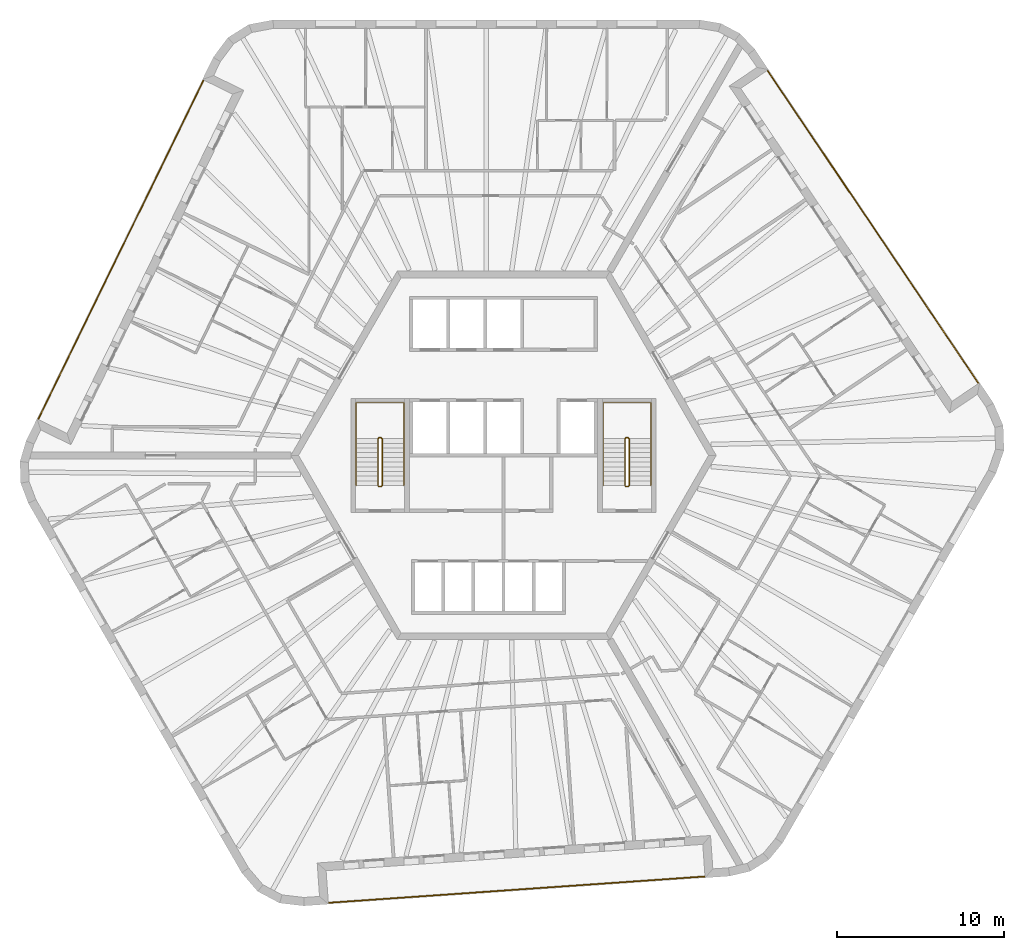
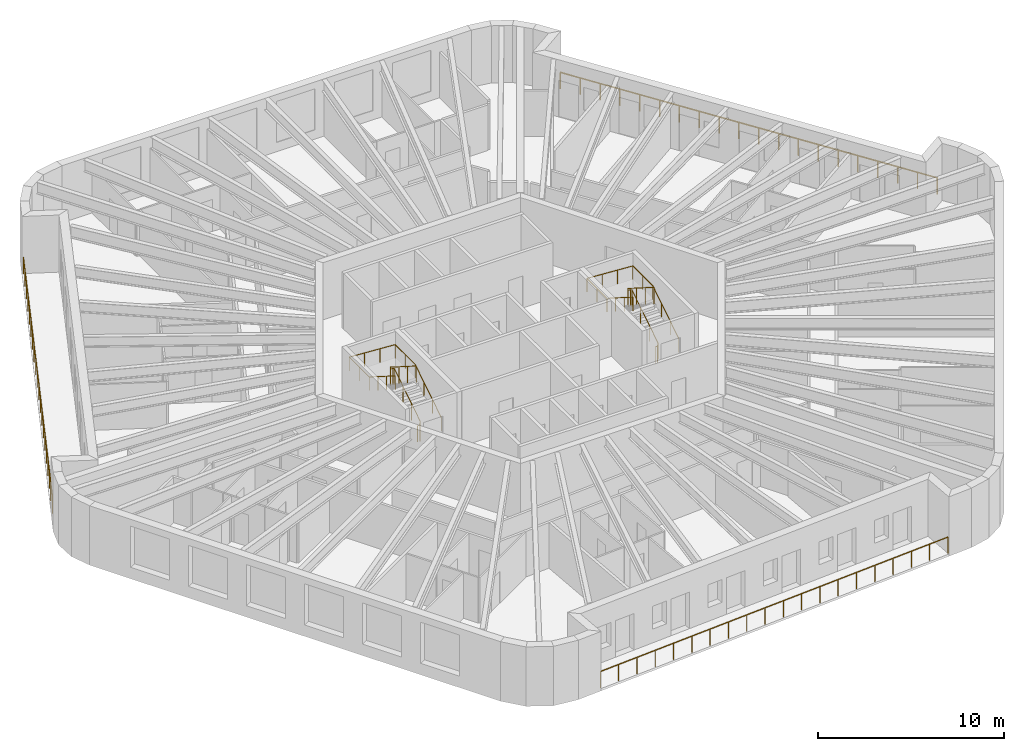
# One storey, part 12 of 12: 7 railings.
"""IFC4 building model written with IfcOpenShell, lengths in metres."""

import ifcopenshell
import ifcopenshell.guid

model = None  # the IFC model being written
_history = None  # IfcOwnerHistory: only IFC2X3 demands one
_inside = {}  # id of a spatial element -> (the spatial element, [elements in it])
_under = {}  # id of a project, library or spatial element -> (it, [spatial elements below it])
_declared = {}  # id of a project -> (the project, [libraries it declares])
_typed = {}  # id of a type object -> (the type object, [elements of that type])
_made_of = {}  # id of a material, layer set ... -> (it, [elements and type objects made of it])


def new_model(schema):
    """Start an empty IFC model of exactly this schema.

    Asked for "IFC4X3", IfcOpenShell would pick the latest addendum, in which some entities
    have other attributes; the version numbers below select the first issue.
    IFC2X3 requires an IfcOwnerHistory on every rooted entity: one is made here for all.
    """
    global model, _history
    if schema == "IFC4X3":
        model = ifcopenshell.file(schema_version=(4, 3, 0, 0))
    else:
        model = ifcopenshell.file(schema=schema)
    _inside.clear()
    _under.clear()
    _declared.clear()
    _typed.clear()
    _made_of.clear()
    _history = None
    if model.schema == "IFC2X3":
        org = make("IfcOrganization", Name="unknown")
        user = make(
            "IfcPersonAndOrganization",
            ThePerson=make("IfcPerson", FamilyName="unknown"),
            TheOrganization=org,
        )
        app = make(
            "IfcApplication",
            ApplicationDeveloper=org,
            Version="unknown",
            ApplicationFullName="unknown",
            ApplicationIdentifier="unknown",
        )
        _history = make(
            "IfcOwnerHistory",
            OwningUser=user,
            OwningApplication=app,
            ChangeAction="ADDED",
            CreationDate=0,
        )
    return model


def make(cls, **values):
    """One entity of the class cls with the attributes given. An attribute that is None is left unset."""
    return model.create_entity(
        cls, **{name: value for name, value in values.items() if value is not None}
    )


def rooted(cls, **values):
    """An entity with a GlobalId (a new one), such as an element, a storey or a relation."""
    return make(cls, GlobalId=ifcopenshell.guid.new(), OwnerHistory=_history, **values)


def si_unit(unit_type, name, prefix=None):
    """IfcSIUnit, for example si_unit("LENGTHUNIT", "METRE", prefix="MILLI")."""
    return make("IfcSIUnit", UnitType=unit_type, Prefix=prefix, Name=name)


def assignment(units):
    """IfcUnitAssignment: the units of a project."""
    return None if units is None else make("IfcUnitAssignment", Units=units)


def point(xyz):
    """IfcCartesianPoint."""
    return None if xyz is None else make("IfcCartesianPoint", Coordinates=xyz)


def direction(xyz):
    """IfcDirection."""
    return None if xyz is None else make("IfcDirection", DirectionRatios=xyz)


def frame(location, z_axis=None, x_axis=None):
    """IfcAxis2Placement3D, a coordinate frame: its origin and axes. An axis left out is left unset."""
    return make(
        "IfcAxis2Placement3D",
        Location=point(location),
        Axis=direction(z_axis),
        RefDirection=direction(x_axis),
    )


def frame_2d(location, x_axis=None):
    """IfcAxis2Placement2D, a coordinate frame in the plane: its origin and x axis."""
    return make(
        "IfcAxis2Placement2D", Location=point(location), RefDirection=direction(x_axis)
    )


def origin():
    """The frame at (0, 0, 0) with its axes left unset."""
    return frame((0.0, 0.0, 0.0))


def origin_2d():
    """The frame at (0, 0) in the plane with its x axis left unset."""
    return frame_2d((0.0, 0.0))


def place(relative_to, where):
    """IfcLocalPlacement: puts the frame where relative to a parent placement (None: the world)."""
    return make(
        "IfcLocalPlacement", PlacementRelTo=relative_to, RelativePlacement=where
    )


def context(
    kind, dimensions, precision=None, world=None, true_north=None, identifier=None
):
    """IfcGeometricRepresentationContext, for example the 3D "Model" context."""
    return make(
        "IfcGeometricRepresentationContext",
        ContextIdentifier=identifier,
        ContextType=kind,
        CoordinateSpaceDimension=dimensions,
        Precision=precision,
        WorldCoordinateSystem=world,
        TrueNorth=true_north,
    )


def subcontext(parent, identifier, kind, view, scale=None):
    """IfcGeometricRepresentationSubContext, for example "Body" below "Model"."""
    return make(
        "IfcGeometricRepresentationSubContext",
        ContextIdentifier=identifier,
        ContextType=kind,
        ParentContext=parent,
        TargetScale=scale,
        TargetView=view,
    )


def project(units=None, contexts=None):
    """IfcProject with its units and contexts."""
    return rooted(
        "IfcProject",
        Name="project",
        RepresentationContexts=contexts,
        UnitsInContext=assignment(units),
    )


def spatial(cls, under=None, at=None, **own):
    """A site, building, storey or space (cls), placed at a placement, below another one or the project."""
    s = rooted(cls, ObjectPlacement=at, **own)
    if under is not None:
        _under.setdefault(under.id(), (under, []))[1].append(s)
    return s


def profile(cls, at=None, kind="AREA", **sizes):
    """A parametric profile (cls). Its sizes go by their IFC names, for example OverallWidth=200.0."""
    return make(cls, ProfileType=kind, Position=at, **sizes)


def circle(**sizes):
    """IfcCircleProfileDef."""
    return profile("IfcCircleProfileDef", **sizes)


def extrude(swept, where, along, depth):
    """IfcExtrudedAreaSolid: the profile swept, set in the frame where, extruded along a direction by depth."""
    return make(
        "IfcExtrudedAreaSolid",
        SweptArea=swept,
        Position=where,
        ExtrudedDirection=direction(along),
        Depth=depth,
    )


def shape(context_of_items, identifier, shape_type, items):
    """IfcShapeRepresentation: the items that make up one representation, for example the "Body"."""
    return make(
        "IfcShapeRepresentation",
        ContextOfItems=context_of_items,
        RepresentationIdentifier=identifier,
        RepresentationType=shape_type,
        Items=items,
    )


def material(Name=None, Category=None):
    """IfcMaterial."""
    return make("IfcMaterial", Name=Name, Category=Category)


def made_of(thing, what):
    """Note that an element or type object is made of a material, layer set ...; save() writes the relation."""
    if what is not None:
        _made_of.setdefault(what.id(), (what, []))[1].append(thing)
    return thing


def type_object(cls, material=None, **own):
    """A type object (cls), such as IfcWallType, which elements share."""
    return made_of(rooted(cls, **own), material)


def element(
    cls,
    number,
    at=None,
    inside=None,
    cuts=None,
    type_object=None,
    material=None,
    context=None,
    identifier="Body",
    shape_type=None,
    held_by="IfcProductDefinitionShape",
    body=None,
    shapes=None,
    **own,
):
    """One element of the class cls, such as IfcWall. Its Tag is "e" and its number.

    at: its placement. inside: the storey or other place that contains it. cuts: it is an
    opening in that element (IfcRelVoidsElement). A single representation is given by context,
    identifier, shape_type and body (its items); several are given by shapes. held_by: the class
    of the entity that holds the representations. save() writes the other relations.
    """
    e = rooted(cls, Tag="e%d" % number, ObjectPlacement=at, **own)
    if body is not None:
        shapes = [shape(context, identifier, shape_type, body)]
    if shapes is not None:
        e.Representation = make(held_by, Representations=shapes)
    if inside is not None:
        _inside.setdefault(inside.id(), (inside, []))[1].append(e)
    if cuts is not None:
        rooted(
            "IfcRelVoidsElement", RelatingBuildingElement=cuts, RelatedOpeningElement=e
        )
    if type_object is not None:
        _typed.setdefault(type_object.id(), (type_object, []))[1].append(e)
    return made_of(e, material)


def aggregate(whole, parts):
    """IfcRelAggregates: a whole, such as a stair, and the parts it consists of."""
    return rooted("IfcRelAggregates", RelatingObject=whole, RelatedObjects=parts)


def save(model, path):
    """Write the relations noted so far, then the file.

    IfcRelAggregates (storeys below a building ...), IfcRelContainedInSpatialStructure (elements
    in a storey), IfcRelDefinesByType, IfcRelAssociatesMaterial and IfcRelDeclares: one each for
    every whole, place, type object, material and project.
    """
    for whole, parts in _under.values():
        aggregate(whole, parts)
    for where, things in _inside.values():
        rooted(
            "IfcRelContainedInSpatialStructure",
            RelatedElements=things,
            RelatingStructure=where,
        )
    for kind, things in _typed.values():
        rooted("IfcRelDefinesByType", RelatedObjects=things, RelatingType=kind)
    for what, things in _made_of.values():
        rooted("IfcRelAssociatesMaterial", RelatedObjects=things, RelatingMaterial=what)
    for by, libraries in _declared.values():
        rooted("IfcRelDeclares", RelatingContext=by, RelatedDefinitions=libraries)
    model.write(path)


model = new_model("IFC4")

# Units and contexts
model_context = context("Model", 3, precision=1e-05, world=origin(), true_north=direction((0.0, 1.0)))
body_context = subcontext(model_context, "Body", "Model", "MODEL_VIEW")
ifc_project = project(units=[si_unit("LENGTHUNIT", "METRE"), si_unit("AREAUNIT", "SQUARE_METRE"), si_unit("VOLUMEUNIT", "CUBIC_METRE"), si_unit("PLANEANGLEUNIT", "RADIAN"), si_unit("MASSUNIT", "GRAM", prefix="KILO")], contexts=[model_context])

# Site, building, storey
site_placement = place(None, origin())
site = spatial("IfcSite", under=ifc_project, at=site_placement, CompositionType="ELEMENT")
building_placement = place(site_placement, origin())
building = spatial("IfcBuilding", under=site, at=building_placement, Name="Tarnside Tower", CompositionType="ELEMENT")
storey_placement = place(building_placement, frame((0.0, 0.0, 306.89990234375)))
storey = spatial("IfcBuildingStorey", under=building, at=storey_placement, Name="L74", CompositionType="ELEMENT", Elevation=306.89990234375)

# Railings
ifc_material_1 = material(Name="Toughened glass", Category="glass")
railing_type_1 = type_object("IfcRailingType", Name="Glass guard 1100", PredefinedType="GUARDRAIL", material=ifc_material_1)
railing_1_placement = place(storey_placement, frame((-17.906005859375, 22.415283203125, 0.0)))
element("IfcRailing", 1, at=railing_1_placement, inside=storey, type_object=railing_type_1, Name="Loggia guard L74 F2", PredefinedType="GUARDRAIL", context=body_context, shape_type="SweptSolid", body=[
    extrude(circle(Radius=0.030029296875, at=origin_2d()), frame((0.0, 0.0, 1.070068359375), z_axis=(-0.438372639335, -0.898793318335, 0.0), x_axis=(0.898793318335, -0.438372639335, 0.0)), (0.0, 0.0, 1.0), 22.544921875),
    extrude(circle(Radius=0.02490234375, at=origin_2d()), origin(), (0.0, 0.0, 1.0), 1.0400390625),
    extrude(circle(Radius=0.02490234375, at=origin_2d()), frame((-0.520263671875, -1.06640625, 0.0)), (0.0, 0.0, 1.0), 1.0400390625),
    extrude(circle(Radius=0.02490234375, at=origin_2d()), frame((-1.040283203125, -2.133056640625, 0.0)), (0.0, 0.0, 1.0), 1.0400390625),
    extrude(circle(Radius=0.02490234375, at=origin_2d()), frame((-1.560546875, -3.199462890625, 0.0)), (0.0, 0.0, 1.0), 1.0400390625),
    extrude(circle(Radius=0.02490234375, at=origin_2d()), frame((-2.08056640625, -4.265869140625, 0.0)), (0.0, 0.0, 1.0), 1.0400390625),
    extrude(circle(Radius=0.02490234375, at=origin_2d()), frame((-2.600830078125, -5.33251953125, 0.0)), (0.0, 0.0, 1.0), 1.0400390625),
    extrude(circle(Radius=0.02490234375, at=origin_2d()), frame((-3.120849609375, -6.39892578125, 0.0)), (0.0, 0.0, 1.0), 1.0400390625),
    extrude(circle(Radius=0.02490234375, at=origin_2d()), frame((-3.64111328125, -7.46533203125, 0.0)), (0.0, 0.0, 1.0), 1.0400390625),
    extrude(circle(Radius=0.02490234375, at=origin_2d()), frame((-4.161376953125, -8.531982421875, 0.0)), (0.0, 0.0, 1.0), 1.0400390625),
    extrude(circle(Radius=0.02490234375, at=origin_2d()), frame((-4.681396484375, -9.598388671875, 0.0)), (0.0, 0.0, 1.0), 1.0400390625),
    extrude(circle(Radius=0.02490234375, at=origin_2d()), frame((-5.20166015625, -10.664794921875, 0.0)), (0.0, 0.0, 1.0), 1.0400390625),
    extrude(circle(Radius=0.02490234375, at=origin_2d()), frame((-5.7216796875, -11.731201171875, 0.0)), (0.0, 0.0, 1.0), 1.0400390625),
    extrude(circle(Radius=0.02490234375, at=origin_2d()), frame((-6.241943359375, -12.7978515625, 0.0)), (0.0, 0.0, 1.0), 1.0400390625),
    extrude(circle(Radius=0.02490234375, at=origin_2d()), frame((-6.76220703125, -13.8642578125, 0.0)), (0.0, 0.0, 1.0), 1.0400390625),
    extrude(circle(Radius=0.02490234375, at=origin_2d()), frame((-7.2822265625, -14.9306640625, 0.0)), (0.0, 0.0, 1.0), 1.0400390625),
    extrude(circle(Radius=0.02490234375, at=origin_2d()), frame((-7.802490234375, -15.997314453125, 0.0)), (0.0, 0.0, 1.0), 1.0400390625),
    extrude(circle(Radius=0.02490234375, at=origin_2d()), frame((-8.322509765625, -17.063720703125, 0.0)), (0.0, 0.0, 1.0), 1.0400390625),
    extrude(circle(Radius=0.02490234375, at=origin_2d()), frame((-8.8427734375, -18.130126953125, 0.0)), (0.0, 0.0, 1.0), 1.0400390625),
    extrude(circle(Radius=0.02490234375, at=origin_2d()), frame((-9.36279296875, -19.19677734375, 0.0)), (0.0, 0.0, 1.0), 1.0400390625),
    extrude(circle(Radius=0.02490234375, at=origin_2d()), frame((-9.883056640625, -20.26318359375, 0.0)), (0.0, 0.0, 1.0), 1.0400390625),
])
railing_2_placement = place(storey_placement, frame((-10.458984375, -26.714599609375, 0.0)))
element("IfcRailing", 2, at=railing_2_placement, inside=storey, type_object=railing_type_1, Name="Loggia guard L74 F4", PredefinedType="GUARDRAIL", context=body_context, shape_type="SweptSolid", body=[
    extrude(circle(Radius=0.030029296875, at=origin_2d()), frame((0.0, 0.0, 1.070068359375), z_axis=(0.997564440639, 0.069750890837, 0.0), x_axis=(-0.069750890837, 0.997564440639, 0.0)), (0.0, 0.0, 1.0), 22.544677734375),
    extrude(circle(Radius=0.02490234375, at=origin_2d()), origin(), (0.0, 0.0, 1.0), 1.0400390625),
    extrude(circle(Radius=0.02490234375, at=origin_2d()), frame((1.18359375, 0.082763671875, 0.0)), (0.0, 0.0, 1.0), 1.0400390625),
    extrude(circle(Radius=0.02490234375, at=origin_2d()), frame((2.367431640625, 0.16552734375, 0.0)), (0.0, 0.0, 1.0), 1.0400390625),
    extrude(circle(Radius=0.02490234375, at=origin_2d()), frame((3.551025390625, 0.248291015625, 0.0)), (0.0, 0.0, 1.0), 1.0400390625),
    extrude(circle(Radius=0.02490234375, at=origin_2d()), frame((4.734619140625, 0.3310546875, 0.0)), (0.0, 0.0, 1.0), 1.0400390625),
    extrude(circle(Radius=0.02490234375, at=origin_2d()), frame((5.91845703125, 0.413818359375, 0.0)), (0.0, 0.0, 1.0), 1.0400390625),
    extrude(circle(Radius=0.02490234375, at=origin_2d()), frame((7.10205078125, 0.49658203125, 0.0)), (0.0, 0.0, 1.0), 1.0400390625),
    extrude(circle(Radius=0.02490234375, at=origin_2d()), frame((8.28564453125, 0.579345703125, 0.0)), (0.0, 0.0, 1.0), 1.0400390625),
    extrude(circle(Radius=0.02490234375, at=origin_2d()), frame((9.469482421875, 0.662109375, 0.0)), (0.0, 0.0, 1.0), 1.0400390625),
    extrude(circle(Radius=0.02490234375, at=origin_2d()), frame((10.653076171875, 0.744873046875, 0.0)), (0.0, 0.0, 1.0), 1.0400390625),
    extrude(circle(Radius=0.02490234375, at=origin_2d()), frame((11.836669921875, 0.82763671875, 0.0)), (0.0, 0.0, 1.0), 1.0400390625),
    extrude(circle(Radius=0.02490234375, at=origin_2d()), frame((13.020263671875, 0.910400390625, 0.0)), (0.0, 0.0, 1.0), 1.0400390625),
    extrude(circle(Radius=0.02490234375, at=origin_2d()), frame((14.2041015625, 0.9931640625, 0.0)), (0.0, 0.0, 1.0), 1.0400390625),
    extrude(circle(Radius=0.02490234375, at=origin_2d()), frame((15.3876953125, 1.075927734375, 0.0)), (0.0, 0.0, 1.0), 1.0400390625),
    extrude(circle(Radius=0.02490234375, at=origin_2d()), frame((16.5712890625, 1.15869140625, 0.0)), (0.0, 0.0, 1.0), 1.0400390625),
    extrude(circle(Radius=0.02490234375, at=origin_2d()), frame((17.755126953125, 1.241455078125, 0.0)), (0.0, 0.0, 1.0), 1.0400390625),
    extrude(circle(Radius=0.02490234375, at=origin_2d()), frame((18.938720703125, 1.32421875, 0.0)), (0.0, 0.0, 1.0), 1.0400390625),
    extrude(circle(Radius=0.02490234375, at=origin_2d()), frame((20.122314453125, 1.406982421875, 0.0)), (0.0, 0.0, 1.0), 1.0400390625),
    extrude(circle(Radius=0.02490234375, at=origin_2d()), frame((21.30615234375, 1.48974609375, 0.0)), (0.0, 0.0, 1.0), 1.0400390625),
    extrude(circle(Radius=0.02490234375, at=origin_2d()), frame((22.48974609375, 1.572509765625, 0.0)), (0.0, 0.0, 1.0), 1.0400390625),
])
railing_3_placement = place(storey_placement, frame((28.365234375, 4.299560546875, 0.0)))
element("IfcRailing", 3, at=railing_3_placement, inside=storey, type_object=railing_type_1, Name="Loggia guard L74 F6", PredefinedType="GUARDRAIL", context=body_context, shape_type="SweptSolid", body=[
    extrude(circle(Radius=0.030029296875, at=origin_2d()), frame((0.0, 0.0, 1.070068359375), z_axis=(-0.559195329741, 0.82903593601, 0.0), x_axis=(-0.82903593601, -0.559195329741, 0.0)), (0.0, 0.0, 1.0), 22.544677734375),
    extrude(circle(Radius=0.02490234375, at=origin_2d()), origin(), (0.0, 0.0, 1.0), 1.0400390625),
    extrude(circle(Radius=0.02490234375, at=origin_2d()), frame((-0.66357421875, 0.983642578125, 0.0)), (0.0, 0.0, 1.0), 1.0400390625),
    extrude(circle(Radius=0.02490234375, at=origin_2d()), frame((-1.3271484375, 1.967529296875, 0.0)), (0.0, 0.0, 1.0), 1.0400390625),
    extrude(circle(Radius=0.02490234375, at=origin_2d()), frame((-1.990478515625, 2.951171875, 0.0)), (0.0, 0.0, 1.0), 1.0400390625),
    extrude(circle(Radius=0.02490234375, at=origin_2d()), frame((-2.654052734375, 3.934814453125, 0.0)), (0.0, 0.0, 1.0), 1.0400390625),
    extrude(circle(Radius=0.02490234375, at=origin_2d()), frame((-3.317626953125, 4.91845703125, 0.0)), (0.0, 0.0, 1.0), 1.0400390625),
    extrude(circle(Radius=0.02490234375, at=origin_2d()), frame((-3.981201171875, 5.90234375, 0.0)), (0.0, 0.0, 1.0), 1.0400390625),
    extrude(circle(Radius=0.02490234375, at=origin_2d()), frame((-4.644775390625, 6.885986328125, 0.0)), (0.0, 0.0, 1.0), 1.0400390625),
    extrude(circle(Radius=0.02490234375, at=origin_2d()), frame((-5.30810546875, 7.86962890625, 0.0)), (0.0, 0.0, 1.0), 1.0400390625),
    extrude(circle(Radius=0.02490234375, at=origin_2d()), frame((-5.9716796875, 8.853271484375, 0.0)), (0.0, 0.0, 1.0), 1.0400390625),
    extrude(circle(Radius=0.02490234375, at=origin_2d()), frame((-6.63525390625, 9.837158203125, 0.0)), (0.0, 0.0, 1.0), 1.0400390625),
    extrude(circle(Radius=0.02490234375, at=origin_2d()), frame((-7.298828125, 10.82080078125, 0.0)), (0.0, 0.0, 1.0), 1.0400390625),
    extrude(circle(Radius=0.02490234375, at=origin_2d()), frame((-7.962158203125, 11.804443359375, 0.0)), (0.0, 0.0, 1.0), 1.0400390625),
    extrude(circle(Radius=0.02490234375, at=origin_2d()), frame((-8.625732421875, 12.7880859375, 0.0)), (0.0, 0.0, 1.0), 1.0400390625),
    extrude(circle(Radius=0.02490234375, at=origin_2d()), frame((-9.289306640625, 13.77197265625, 0.0)), (0.0, 0.0, 1.0), 1.0400390625),
    extrude(circle(Radius=0.02490234375, at=origin_2d()), frame((-9.952880859375, 14.755615234375, 0.0)), (0.0, 0.0, 1.0), 1.0400390625),
    extrude(circle(Radius=0.02490234375, at=origin_2d()), frame((-10.616455078125, 15.7392578125, 0.0)), (0.0, 0.0, 1.0), 1.0400390625),
    extrude(circle(Radius=0.02490234375, at=origin_2d()), frame((-11.27978515625, 16.722900390625, 0.0)), (0.0, 0.0, 1.0), 1.0400390625),
    extrude(circle(Radius=0.02490234375, at=origin_2d()), frame((-11.943359375, 17.706787109375, 0.0)), (0.0, 0.0, 1.0), 1.0400390625),
    extrude(circle(Radius=0.02490234375, at=origin_2d()), frame((-12.60693359375, 18.6904296875, 0.0)), (0.0, 0.0, 1.0), 1.0400390625),
])
ifc_material_2 = material(Name="Stainless steel", Category="steel")
railing_type_2 = type_object("IfcRailingType", Name="Stair guard 1100", PredefinedType="GUARDRAIL", material=ifc_material_2)
railing_4_placement = place(storey_placement, frame((7.300048828125, -1.85009765625, 0.0)))
element("IfcRailing", 4, at=railing_4_placement, inside=storey, type_object=railing_type_2, Name="L74 ST1 stair guard 1", PredefinedType="GUARDRAIL", context=body_context, shape_type="SweptSolid", body=[
    extrude(circle(Radius=0.02392578125, at=origin_2d()), frame((0.0, 0.0, 1.076171875), z_axis=(1.0, 0.0, 0.0), x_axis=(0.0, 1.0, 0.0)), (0.0, 0.0, 1.0), 0.14990234375),
    extrude(circle(Radius=0.02392578125, at=origin_2d()), frame((0.14990234375, 0.0, 1.076171875), z_axis=(0.261922500866, 0.261922500866, 0.928866625022), x_axis=(-0.707106781187, 0.707106781187, 0.0)), (0.0, 0.0, 1.0), 0.191162109375),
    extrude(circle(Radius=0.02392578125, at=origin_2d()), frame((0.199951171875, 0.050048828125, 1.25341796875), z_axis=(0.0, 0.844908973607, 0.534910110503), x_axis=(-1.0, 0.0, 0.0)), (0.0, 0.0, 1.0), 3.31396484375),
    extrude(circle(Radius=0.02392578125, at=origin_2d()), frame((0.199951171875, 2.85009765625, 3.0263671875), z_axis=(-0.707106781187, 0.707106781187, 0.0), x_axis=(-0.707106781187, -0.707106781187, 0.0)), (0.0, 0.0, 1.0), 0.07080078125),
    extrude(circle(Radius=0.02392578125, at=origin_2d()), frame((0.14990234375, 2.900146484375, 3.0263671875), z_axis=(-1.0, 0.0, 0.0), x_axis=(0.0, -1.0, 0.0)), (0.0, 0.0, 1.0), 0.14990234375),
    extrude(circle(Radius=0.02392578125, at=origin_2d()), frame((0.0, 2.900146484375, 3.0263671875), z_axis=(-0.262233686654, -0.262233686654, 0.928691007369), x_axis=(0.707106781187, -0.707106781187, 0.0)), (0.0, 0.0, 1.0), 0.19091796875),
    extrude(circle(Radius=0.02392578125, at=origin_2d()), frame((-0.050048828125, 2.85009765625, 3.20361328125), z_axis=(0.0, -0.844908973607, 0.534910110503), x_axis=(1.0, 0.0, 0.0)), (0.0, 0.0, 1.0), 3.31396484375),
    extrude(circle(Radius=0.02099609375, at=origin_2d()), origin(), (0.0, 0.0, 1.0), 1.052001953125),
    extrude(circle(Radius=0.02099609375, at=origin_2d()), frame((0.14990234375, 0.0, 0.0)), (0.0, 0.0, 1.0), 1.052001953125),
    extrude(circle(Radius=0.02099609375, at=origin_2d()), frame((0.199951171875, 0.050048828125, 0.177490234375)), (0.0, 0.0, 1.0), 1.052001953125),
    extrude(circle(Radius=0.02099609375, at=origin_2d()), frame((0.199951171875, 0.9833984375, 0.768310546875)), (0.0, 0.0, 1.0), 1.052001953125),
    extrude(circle(Radius=0.02099609375, at=origin_2d()), frame((0.199951171875, 1.916748046875, 1.359375)), (0.0, 0.0, 1.0), 1.052001953125),
    extrude(circle(Radius=0.02099609375, at=origin_2d()), frame((0.199951171875, 2.85009765625, 1.9501953125)), (0.0, 0.0, 1.0), 1.052001953125),
    extrude(circle(Radius=0.02099609375, at=origin_2d()), frame((0.14990234375, 2.900146484375, 1.9501953125)), (0.0, 0.0, 1.0), 1.052001953125),
    extrude(circle(Radius=0.02099609375, at=origin_2d()), frame((0.0, 2.900146484375, 1.9501953125)), (0.0, 0.0, 1.0), 1.052001953125),
    extrude(circle(Radius=0.02099609375, at=origin_2d()), frame((-0.050048828125, 2.85009765625, 2.12744140625)), (0.0, 0.0, 1.0), 1.052001953125),
    extrude(circle(Radius=0.02099609375, at=origin_2d()), frame((-0.050048828125, 1.916748046875, 2.71826171875)), (0.0, 0.0, 1.0), 1.052001953125),
    extrude(circle(Radius=0.02099609375, at=origin_2d()), frame((-0.050048828125, 0.9833984375, 3.309326171875)), (0.0, 0.0, 1.0), 1.052001953125),
    extrude(circle(Radius=0.02099609375, at=origin_2d()), frame((-0.050048828125, 0.050048828125, 3.900146484375)), (0.0, 0.0, 1.0), 1.052001953125),
])
railing_5_placement = place(storey_placement, frame((-7.449951171875, -1.85009765625, 0.0)))
element("IfcRailing", 5, at=railing_5_placement, inside=storey, type_object=railing_type_2, Name="L74 ST2 stair guard 1", PredefinedType="GUARDRAIL", context=body_context, shape_type="SweptSolid", body=[
    extrude(circle(Radius=0.02392578125, at=origin_2d()), frame((0.0, 0.0, 1.076171875), z_axis=(1.0, 0.0, 0.0), x_axis=(0.0, 1.0, 0.0)), (0.0, 0.0, 1.0), 0.14990234375),
    extrude(circle(Radius=0.02392578125, at=origin_2d()), frame((0.14990234375, 0.0, 1.076171875), z_axis=(0.261922500866, 0.261922500866, 0.928866625022), x_axis=(-0.707106781187, 0.707106781187, 0.0)), (0.0, 0.0, 1.0), 0.191162109375),
    extrude(circle(Radius=0.02392578125, at=origin_2d()), frame((0.199951171875, 0.050048828125, 1.25341796875), z_axis=(0.0, 0.844908973607, 0.534910110503), x_axis=(-1.0, 0.0, 0.0)), (0.0, 0.0, 1.0), 3.31396484375),
    extrude(circle(Radius=0.02392578125, at=origin_2d()), frame((0.199951171875, 2.85009765625, 3.0263671875), z_axis=(-0.707106781187, 0.707106781187, 0.0), x_axis=(-0.707106781187, -0.707106781187, 0.0)), (0.0, 0.0, 1.0), 0.07080078125),
    extrude(circle(Radius=0.02392578125, at=origin_2d()), frame((0.14990234375, 2.900146484375, 3.0263671875), z_axis=(-1.0, 0.0, 0.0), x_axis=(0.0, -1.0, 0.0)), (0.0, 0.0, 1.0), 0.14990234375),
    extrude(circle(Radius=0.02392578125, at=origin_2d()), frame((0.0, 2.900146484375, 3.0263671875), z_axis=(-0.262233686654, -0.262233686654, 0.928691007369), x_axis=(0.707106781187, -0.707106781187, 0.0)), (0.0, 0.0, 1.0), 0.19091796875),
    extrude(circle(Radius=0.02392578125, at=origin_2d()), frame((-0.050048828125, 2.85009765625, 3.20361328125), z_axis=(0.0, -0.844908973607, 0.534910110503), x_axis=(1.0, 0.0, 0.0)), (0.0, 0.0, 1.0), 3.31396484375),
    extrude(circle(Radius=0.02099609375, at=origin_2d()), origin(), (0.0, 0.0, 1.0), 1.052001953125),
    extrude(circle(Radius=0.02099609375, at=origin_2d()), frame((0.14990234375, 0.0, 0.0)), (0.0, 0.0, 1.0), 1.052001953125),
    extrude(circle(Radius=0.02099609375, at=origin_2d()), frame((0.199951171875, 0.050048828125, 0.177490234375)), (0.0, 0.0, 1.0), 1.052001953125),
    extrude(circle(Radius=0.02099609375, at=origin_2d()), frame((0.199951171875, 0.9833984375, 0.768310546875)), (0.0, 0.0, 1.0), 1.052001953125),
    extrude(circle(Radius=0.02099609375, at=origin_2d()), frame((0.199951171875, 1.916748046875, 1.359375)), (0.0, 0.0, 1.0), 1.052001953125),
    extrude(circle(Radius=0.02099609375, at=origin_2d()), frame((0.199951171875, 2.85009765625, 1.9501953125)), (0.0, 0.0, 1.0), 1.052001953125),
    extrude(circle(Radius=0.02099609375, at=origin_2d()), frame((0.14990234375, 2.900146484375, 1.9501953125)), (0.0, 0.0, 1.0), 1.052001953125),
    extrude(circle(Radius=0.02099609375, at=origin_2d()), frame((0.0, 2.900146484375, 1.9501953125)), (0.0, 0.0, 1.0), 1.052001953125),
    extrude(circle(Radius=0.02099609375, at=origin_2d()), frame((-0.050048828125, 2.85009765625, 2.12744140625)), (0.0, 0.0, 1.0), 1.052001953125),
    extrude(circle(Radius=0.02099609375, at=origin_2d()), frame((-0.050048828125, 1.916748046875, 2.71826171875)), (0.0, 0.0, 1.0), 1.052001953125),
    extrude(circle(Radius=0.02099609375, at=origin_2d()), frame((-0.050048828125, 0.9833984375, 3.309326171875)), (0.0, 0.0, 1.0), 1.052001953125),
    extrude(circle(Radius=0.02099609375, at=origin_2d()), frame((-0.050048828125, 0.050048828125, 3.900146484375)), (0.0, 0.0, 1.0), 1.052001953125),
])
railing_type_3 = type_object("IfcRailingType", Name="Stair handrail 900", PredefinedType="HANDRAIL", material=ifc_material_2)
railing_6_placement = place(storey_placement, frame((8.800048828125, -1.800048828125, 0.177490234375)))
element("IfcRailing", 6, at=railing_6_placement, inside=storey, type_object=railing_type_3, Name="L74 ST1 stair handrail 1", PredefinedType="HANDRAIL", context=body_context, shape_type="SweptSolid", body=[
    extrude(circle(Radius=0.02392578125, at=origin_2d()), frame((0.0, 0.0, 0.8857421875), z_axis=(0.0, 0.844908973607, 0.534910110503), x_axis=(-1.0, 0.0, 0.0)), (0.0, 0.0, 1.0), 3.31396484375),
    extrude(circle(Radius=0.02392578125, at=origin_2d()), frame((0.0, 2.800048828125, 2.65869140625), z_axis=(0.0, 1.0, 0.0), x_axis=(-1.0, 0.0, 0.0)), (0.0, 0.0, 1.0), 2.14990234375),
    extrude(circle(Radius=0.02392578125, at=origin_2d()), frame((0.0, 4.949951171875, 2.65869140625), z_axis=(-0.998071825391, 0.0, 0.06206956872), x_axis=(0.0, -1.0, 0.0)), (0.0, 0.0, 1.0), 2.855712890625),
    extrude(circle(Radius=0.02392578125, at=origin_2d()), frame((-2.85009765625, 4.949951171875, 2.8359375), z_axis=(0.0, -1.0, 0.0), x_axis=(1.0, 0.0, 0.0)), (0.0, 0.0, 1.0), 2.14990234375),
    extrude(circle(Radius=0.02392578125, at=origin_2d()), frame((-2.85009765625, 2.800048828125, 2.8359375), z_axis=(0.0, -0.844908973607, 0.534910110503), x_axis=(1.0, 0.0, 0.0)), (0.0, 0.0, 1.0), 3.31396484375),
    extrude(circle(Radius=0.02099609375, at=origin_2d()), origin(), (0.0, 0.0, 1.0), 0.86181640625),
    extrude(circle(Radius=0.02099609375, at=origin_2d()), frame((0.0, 0.933349609375, 0.5908203125)), (0.0, 0.0, 1.0), 0.86181640625),
    extrude(circle(Radius=0.02099609375, at=origin_2d()), frame((0.0, 1.86669921875, 1.181884765625)), (0.0, 0.0, 1.0), 0.86181640625),
    extrude(circle(Radius=0.02099609375, at=origin_2d()), frame((0.0, 2.800048828125, 1.772705078125)), (0.0, 0.0, 1.0), 0.86181640625),
    extrude(circle(Radius=0.02099609375, at=origin_2d()), frame((0.0, 3.875, 1.772705078125)), (0.0, 0.0, 1.0), 0.86181640625),
    extrude(circle(Radius=0.02099609375, at=origin_2d()), frame((0.0, 4.949951171875, 1.772705078125)), (0.0, 0.0, 1.0), 0.86181640625),
    extrude(circle(Radius=0.02099609375, at=origin_2d()), frame((-0.949951171875, 4.949951171875, 1.831787109375)), (0.0, 0.0, 1.0), 0.86181640625),
    extrude(circle(Radius=0.02099609375, at=origin_2d()), frame((-1.900146484375, 4.949951171875, 1.890869140625)), (0.0, 0.0, 1.0), 0.86181640625),
    extrude(circle(Radius=0.02099609375, at=origin_2d()), frame((-2.85009765625, 4.949951171875, 1.949951171875)), (0.0, 0.0, 1.0), 0.86181640625),
    extrude(circle(Radius=0.02099609375, at=origin_2d()), frame((-2.85009765625, 3.875, 1.949951171875)), (0.0, 0.0, 1.0), 0.86181640625),
    extrude(circle(Radius=0.02099609375, at=origin_2d()), frame((-2.85009765625, 2.800048828125, 1.949951171875)), (0.0, 0.0, 1.0), 0.86181640625),
    extrude(circle(Radius=0.02099609375, at=origin_2d()), frame((-2.85009765625, 1.86669921875, 2.540771484375)), (0.0, 0.0, 1.0), 0.86181640625),
    extrude(circle(Radius=0.02099609375, at=origin_2d()), frame((-2.85009765625, 0.933349609375, 3.1318359375)), (0.0, 0.0, 1.0), 0.86181640625),
    extrude(circle(Radius=0.02099609375, at=origin_2d()), frame((-2.85009765625, 0.0, 3.72265625)), (0.0, 0.0, 1.0), 0.86181640625),
])
railing_7_placement = place(storey_placement, frame((-5.949951171875, -1.800048828125, 0.177490234375)))
element("IfcRailing", 7, at=railing_7_placement, inside=storey, type_object=railing_type_3, Name="L74 ST2 stair handrail 1", PredefinedType="HANDRAIL", context=body_context, shape_type="SweptSolid", body=[
    extrude(circle(Radius=0.02392578125, at=origin_2d()), frame((0.0, 0.0, 0.8857421875), z_axis=(0.0, 0.844908973607, 0.534910110503), x_axis=(-1.0, 0.0, 0.0)), (0.0, 0.0, 1.0), 3.31396484375),
    extrude(circle(Radius=0.02392578125, at=origin_2d()), frame((0.0, 2.800048828125, 2.65869140625), z_axis=(0.0, 1.0, 0.0), x_axis=(-1.0, 0.0, 0.0)), (0.0, 0.0, 1.0), 2.14990234375),
    extrude(circle(Radius=0.02392578125, at=origin_2d()), frame((0.0, 4.949951171875, 2.65869140625), z_axis=(-0.998071825391, 0.0, 0.06206956872), x_axis=(0.0, -1.0, 0.0)), (0.0, 0.0, 1.0), 2.855712890625),
    extrude(circle(Radius=0.02392578125, at=origin_2d()), frame((-2.85009765625, 4.949951171875, 2.8359375), z_axis=(0.0, -1.0, 0.0), x_axis=(1.0, 0.0, 0.0)), (0.0, 0.0, 1.0), 2.14990234375),
    extrude(circle(Radius=0.02392578125, at=origin_2d()), frame((-2.85009765625, 2.800048828125, 2.8359375), z_axis=(0.0, -0.844908973607, 0.534910110503), x_axis=(1.0, 0.0, 0.0)), (0.0, 0.0, 1.0), 3.31396484375),
    extrude(circle(Radius=0.02099609375, at=origin_2d()), origin(), (0.0, 0.0, 1.0), 0.86181640625),
    extrude(circle(Radius=0.02099609375, at=origin_2d()), frame((0.0, 0.933349609375, 0.5908203125)), (0.0, 0.0, 1.0), 0.86181640625),
    extrude(circle(Radius=0.02099609375, at=origin_2d()), frame((0.0, 1.86669921875, 1.181884765625)), (0.0, 0.0, 1.0), 0.86181640625),
    extrude(circle(Radius=0.02099609375, at=origin_2d()), frame((0.0, 2.800048828125, 1.772705078125)), (0.0, 0.0, 1.0), 0.86181640625),
    extrude(circle(Radius=0.02099609375, at=origin_2d()), frame((0.0, 3.875, 1.772705078125)), (0.0, 0.0, 1.0), 0.86181640625),
    extrude(circle(Radius=0.02099609375, at=origin_2d()), frame((0.0, 4.949951171875, 1.772705078125)), (0.0, 0.0, 1.0), 0.86181640625),
    extrude(circle(Radius=0.02099609375, at=origin_2d()), frame((-0.949951171875, 4.949951171875, 1.831787109375)), (0.0, 0.0, 1.0), 0.86181640625),
    extrude(circle(Radius=0.02099609375, at=origin_2d()), frame((-1.900146484375, 4.949951171875, 1.890869140625)), (0.0, 0.0, 1.0), 0.86181640625),
    extrude(circle(Radius=0.02099609375, at=origin_2d()), frame((-2.85009765625, 4.949951171875, 1.949951171875)), (0.0, 0.0, 1.0), 0.86181640625),
    extrude(circle(Radius=0.02099609375, at=origin_2d()), frame((-2.85009765625, 3.875, 1.949951171875)), (0.0, 0.0, 1.0), 0.86181640625),
    extrude(circle(Radius=0.02099609375, at=origin_2d()), frame((-2.85009765625, 2.800048828125, 1.949951171875)), (0.0, 0.0, 1.0), 0.86181640625),
    extrude(circle(Radius=0.02099609375, at=origin_2d()), frame((-2.85009765625, 1.86669921875, 2.540771484375)), (0.0, 0.0, 1.0), 0.86181640625),
    extrude(circle(Radius=0.02099609375, at=origin_2d()), frame((-2.85009765625, 0.933349609375, 3.1318359375)), (0.0, 0.0, 1.0), 0.86181640625),
    extrude(circle(Radius=0.02099609375, at=origin_2d()), frame((-2.85009765625, 0.0, 3.72265625)), (0.0, 0.0, 1.0), 0.86181640625),
])

save(model, "model.ifc")
